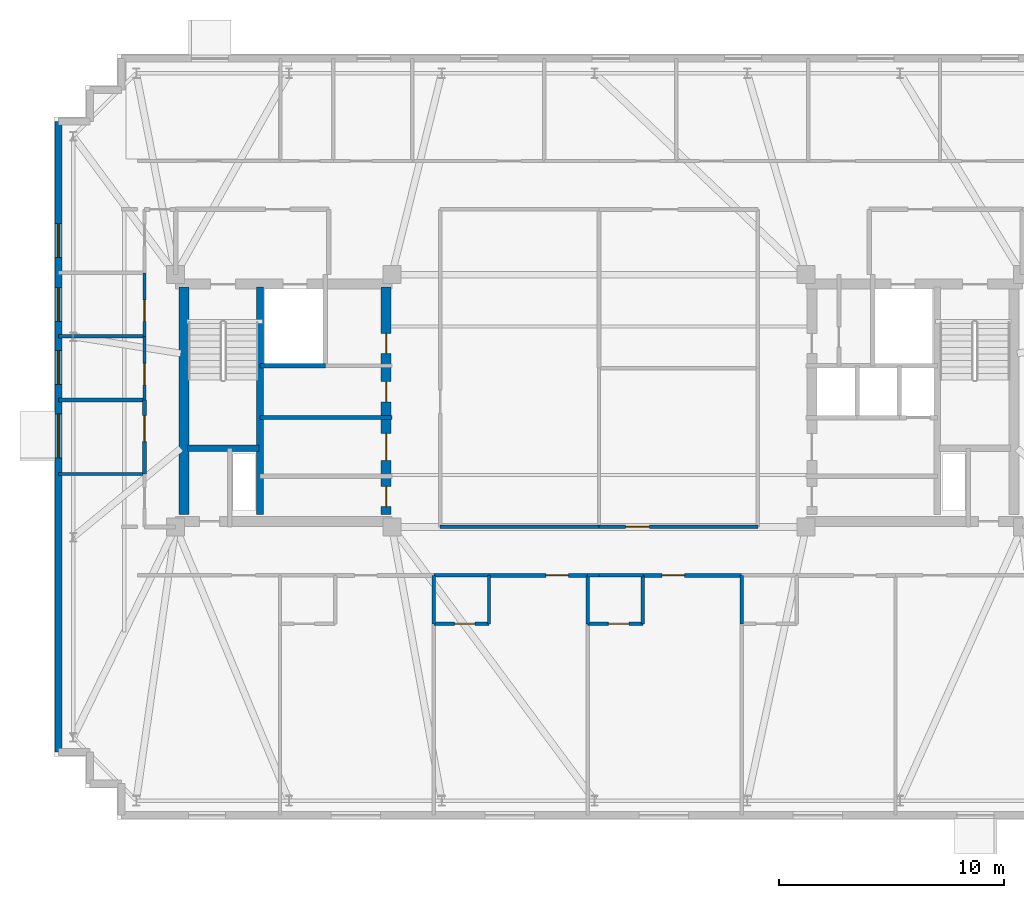
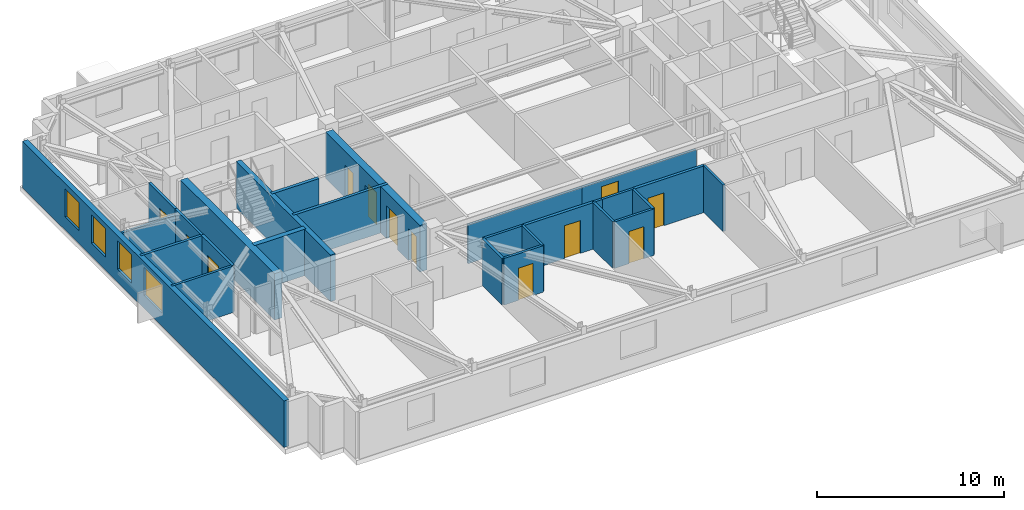
# One storey, part 6 of 12: 27 walls, 12 doors, 4 windows, 16 openings.
"""IFC4 building model written with IfcOpenShell, lengths in metres."""

from ifc_helpers import new_model, si_unit, direction, frame, frame_2d, origin, place, context, subcontext, project, spatial, rectangle, extrude, material, layer, layer_set, type_object, element, fill, save


model = new_model("IFC4")

# Units and contexts
model_context = context("Model", 3, precision=1e-05, world=origin(), true_north=direction((0.0, 1.0)))
body_context = subcontext(model_context, "Body", "Model", "MODEL_VIEW")
ifc_project = project(units=[si_unit("LENGTHUNIT", "METRE"), si_unit("AREAUNIT", "SQUARE_METRE"), si_unit("VOLUMEUNIT", "CUBIC_METRE"), si_unit("PLANEANGLEUNIT", "RADIAN"), si_unit("MASSUNIT", "GRAM", prefix="KILO")], contexts=[model_context])

# Site, building, storey
site_placement = place(None, origin())
site = spatial("IfcSite", under=ifc_project, at=site_placement, CompositionType="ELEMENT")
building_placement = place(site_placement, origin())
building = spatial("IfcBuilding", under=site, at=building_placement, Name="Qobustan Lattice House", CompositionType="ELEMENT")
storey_placement = place(building_placement, frame((0.0, 0.0, 241.699951171875)))
storey = spatial("IfcBuildingStorey", under=building, at=storey_placement, Name="L68", CompositionType="ELEMENT", Elevation=241.699951171875)

# Wall
ifc_material_1 = material(Name="Concrete C50/60", Category="concrete")
ifc_layer_1 = layer(ifc_material_1, 0.43994140625)
ifc_layer_set_1 = layer_set([ifc_layer_1], Name="Concrete C50/60")
wall_type_1 = type_object("IfcWallType", Name="WAL-CORE-440", PredefinedType="SHEAR", material=ifc_layer_set_1)
wall_1_placement = place(storey_placement, frame((-18.429931640625, -5.050048828125, 0.0), z_axis=(0.0, 0.0, 1.0), x_axis=(0.0, 1.0, 0.0)))
element("IfcWall", 1, at=wall_1_placement, inside=storey, type_object=wall_type_1, Name="L68 split-core shear wall CW-W", PredefinedType="SHEAR", context=body_context, shape_type="SweptSolid", body=[
    extrude(rectangle(XDim=10.10009765625, YDim=0.43994140625, at=frame_2d((5.050048828125, 0.0))), origin(), (0.0, 0.0, 1.0), 3.0400390625),
])

# Wall, openings, doors
wall_2_placement = place(storey_placement, frame((-9.449951171875, -5.050048828125, 0.0), z_axis=(0.0, 0.0, 1.0), x_axis=(0.0, 1.0, 0.0)))
wall_2 = element("IfcWall", 2, at=wall_2_placement, inside=storey, type_object=wall_type_1, Name="L68 split-core shear wall CW-E", PredefinedType="SHEAR", context=body_context, shape_type="SweptSolid", body=[
    extrude(rectangle(XDim=10.10009765625, YDim=0.43994140625, at=frame_2d((5.050048828125, 0.0))), origin(), (0.0, 0.0, 1.0), 3.0400390625),
])
opening_1_placement = place(wall_2_placement, frame((7.14990234375, 0.0, 0.0)))
opening_1 = element("IfcOpeningElement", 3, at=opening_1_placement, cuts=wall_2, Name="Opening RD-01", PredefinedType="OPENING", context=body_context, shape_type="SweptSolid", body=[
    extrude(rectangle(XDim=0.89990234375, YDim=2.10009765625, at=frame_2d((0.449951171875, 1.050048828125))), frame((0.0, 0.22998046875, 0.0), z_axis=(0.0, -1.0, 0.0), x_axis=(1.0, 0.0, 0.0)), (0.0, 0.0, 1.0), 0.4599609375),
])
opening_2_placement = place(wall_2_placement, frame((2.39990234375, 0.0, 0.0)))
opening_2 = element("IfcOpeningElement", 4, at=opening_2_placement, cuts=wall_2, Name="Opening FD-01", PredefinedType="OPENING", context=body_context, shape_type="SweptSolid", body=[
    extrude(rectangle(XDim=1.199951171875, YDim=2.14990234375, at=frame_2d((0.60009765625, 1.074951171875))), frame((0.0, 0.22998046875, 0.0), z_axis=(0.0, -1.0, 0.0), x_axis=(1.0, 0.0, 0.0)), (0.0, 0.0, 1.0), 0.4599609375),
])
opening_3_placement = place(wall_2_placement, frame((0.35009765625, 0.0, 0.0)))
opening_3 = element("IfcOpeningElement", 5, at=opening_3_placement, cuts=wall_2, Name="Opening RD-01", PredefinedType="OPENING", context=body_context, shape_type="SweptSolid", body=[
    extrude(rectangle(XDim=0.89990234375, YDim=2.10009765625, at=frame_2d((0.449951171875, 1.050048828125))), frame((0.0, 0.22998046875, 0.0), z_axis=(0.0, -1.0, 0.0), x_axis=(1.0, 0.0, 0.0)), (0.0, 0.0, 1.0), 0.4599609375),
])
opening_4_placement = place(wall_2_placement, frame((5.0, 0.0, 0.0)))
opening_4 = element("IfcOpeningElement", 6, at=opening_4_placement, cuts=wall_2, Name="Opening RD-01", PredefinedType="OPENING", context=body_context, shape_type="SweptSolid", body=[
    extrude(rectangle(XDim=0.89990234375, YDim=2.10009765625, at=frame_2d((0.449951171875, 1.050048828125))), frame((0.0, 0.22998046875, 0.0), z_axis=(0.0, -1.0, 0.0), x_axis=(1.0, 0.0, 0.0)), (0.0, 0.0, 1.0), 0.4599609375),
])
ifc_material_2 = material(Name="Persian walnut timber and steel frame door", Category="steel")
door_type_1 = type_object("IfcDoorType", Name="DOR-LOBBY-FD-1200x2150", OperationType="NOTDEFINED", PredefinedType="DOOR", material=ifc_material_2)
door_1_placement = place(opening_2_placement, origin())
door_1 = element("IfcDoor", 7, at=door_1_placement, inside=storey, type_object=door_type_1, Name="L68 West core foyer fire door", OperationType="SINGLE_SWING_RIGHT", OverallHeight=2.14990234375, OverallWidth=1.199951171875, PredefinedType="DOOR", context=body_context, shape_type="SweptSolid", body=[
    extrude(rectangle(XDim=1.199951171875, YDim=2.14990234375, at=frame_2d((0.60009765625, 1.074951171875))), frame((0.0, 0.02490234375, 0.0), z_axis=(0.0, -1.0, 0.0), x_axis=(1.0, 0.0, 0.0)), (0.0, 0.0, 1.0), 0.050048828125),
])
fill(opening_2, door_1)
ifc_material_3 = material(Name="Persian walnut timber and steel frame door", Category="steel")
door_type_2 = type_object("IfcDoorType", Name="DOR-RISER-FD-900x2100", OperationType="NOTDEFINED", PredefinedType="DOOR", material=ifc_material_3)
door_2_placement = place(opening_1_placement, origin())
door_2 = element("IfcDoor", 8, at=door_2_placement, inside=storey, type_object=door_type_2, Name="L68 Floor tea pantry fire door", OperationType="SINGLE_SWING_LEFT", OverallHeight=2.10009765625, OverallWidth=0.89990234375, PredefinedType="DOOR", context=body_context, shape_type="SweptSolid", body=[
    extrude(rectangle(XDim=0.89990234375, YDim=2.10009765625, at=frame_2d((0.449951171875, 1.050048828125))), frame((0.0, 0.02490234375, 0.0), z_axis=(0.0, -1.0, 0.0), x_axis=(1.0, 0.0, 0.0)), (0.0, 0.0, 1.0), 0.050048828125),
])
fill(opening_1, door_2)
door_3_placement = place(opening_3_placement, origin())
door_3 = element("IfcDoor", 9, at=door_3_placement, inside=storey, type_object=door_type_2, Name="L68 Tutorial seminar salon fire door", OperationType="SINGLE_SWING_LEFT", OverallHeight=2.10009765625, OverallWidth=0.89990234375, PredefinedType="DOOR", context=body_context, shape_type="SweptSolid", body=[
    extrude(rectangle(XDim=0.89990234375, YDim=2.10009765625, at=frame_2d((0.449951171875, 1.050048828125))), frame((0.0, 0.02490234375, 0.0), z_axis=(0.0, -1.0, 0.0), x_axis=(1.0, 0.0, 0.0)), (0.0, 0.0, 1.0), 0.050048828125),
])
fill(opening_3, door_3)
door_4_placement = place(opening_4_placement, origin())
door_4 = element("IfcDoor", 10, at=door_4_placement, inside=storey, type_object=door_type_2, Name="L68 Copy and tea hub fire door", OperationType="SINGLE_SWING_RIGHT", OverallHeight=2.10009765625, OverallWidth=0.89990234375, PredefinedType="DOOR", context=body_context, shape_type="SweptSolid", body=[
    extrude(rectangle(XDim=0.89990234375, YDim=2.10009765625, at=frame_2d((0.449951171875, 1.050048828125))), frame((0.0, 0.02490234375, 0.0), z_axis=(0.0, -1.0, 0.0), x_axis=(1.0, 0.0, 0.0)), (0.0, 0.0, 1.0), 0.050048828125),
])
fill(opening_4, door_4)

# Walls
ifc_material_4 = material(Name="Concrete C50/60", Category="concrete")
ifc_layer_2 = layer(ifc_material_4, 0.280029296875)
ifc_layer_set_2 = layer_set([ifc_layer_2], Name="Concrete C50/60")
wall_type_2 = type_object("IfcWallType", Name="WAL-CORE-SPINE-280", PredefinedType="SHEAR", material=ifc_layer_set_2)
wall_3_placement = place(storey_placement, frame((-15.050048828125, -5.050048828125, 0.0), z_axis=(0.0, 0.0, 1.0), x_axis=(0.0, 1.0, 0.0)))
element("IfcWall", 11, at=wall_3_placement, inside=storey, type_object=wall_type_2, Name="L68 split-core shear wall CW-M", PredefinedType="SHEAR", context=body_context, shape_type="SweptSolid", body=[
    extrude(rectangle(XDim=10.10009765625, YDim=0.300048828125, at=frame_2d((5.050048828125, 0.0))), origin(), (0.0, 0.0, 1.0), 3.0400390625),
])
wall_4_placement = place(storey_placement, frame((-18.280029296875, -2.110107421875, 0.0), z_axis=(0.0, 0.0, 1.0), x_axis=(1.0, 0.0, 0.0)))
element("IfcWall", 12, at=wall_4_placement, inside=storey, type_object=wall_type_2, Name="L68 split-core shear wall CW-ST", PredefinedType="SHEAR", context=body_context, shape_type="SweptSolid", body=[
    extrude(rectangle(XDim=3.179931640625, YDim=0.300048828125, at=frame_2d((1.58984375, 0.0))), origin(), (0.0, 0.0, 1.0), 3.0400390625),
])

# Wall, openings, windows
ifc_material_5 = material(Name="Precast concrete C40/50", Category="concrete")
ifc_layer_3 = layer(ifc_material_5, 0.320068359375)
ifc_layer_set_3 = layer_set([ifc_layer_3], Name="Precast concrete C40/50")
wall_type_3 = type_object("IfcWallType", Name="WAL-EXT-STONE-320", PredefinedType="SOLIDWALL", material=ifc_layer_set_3)
wall_5_placement = place(storey_placement, frame((-24.0, -15.60009765625, 0.0), z_axis=(0.0, 0.0, 1.0), x_axis=(0.0, 1.0, 0.0)))
wall_5 = element("IfcWall", 13, at=wall_5_placement, inside=storey, type_object=wall_type_3, Name="L68 exterior limestone-clad wall 5", PredefinedType="SOLIDWALL", context=body_context, shape_type="SweptSolid", body=[
    extrude(rectangle(XDim=28.0, YDim=0.320068359375, at=frame_2d((14.0, 0.0))), origin(), (0.0, 0.0, 1.0), 3.0400390625),
])
opening_5_placement = place(wall_5_placement, frame((13.06494140625, 0.0, 0.85009765625)))
opening_5 = element("IfcOpeningElement", 14, at=opening_5_placement, cuts=wall_5, Name="Opening WN-08", PredefinedType="OPENING", context=body_context, shape_type="SweptSolid", body=[
    extrude(rectangle(XDim=1.949951171875, YDim=1.85009765625, at=frame_2d((0.97509765625, 0.925048828125))), frame((0.0, 0.169921875, 0.0), z_axis=(0.0, -1.0, 0.0), x_axis=(1.0, 0.0, 0.0)), (0.0, 0.0, 1.0), 0.340087890625),
])
opening_6_placement = place(wall_5_placement, frame((16.330078125, 0.0, 0.85009765625)))
opening_6 = element("IfcOpeningElement", 15, at=opening_6_placement, cuts=wall_5, Name="Opening WN-01", PredefinedType="OPENING", context=body_context, shape_type="SweptSolid", body=[
    extrude(rectangle(XDim=1.5, YDim=1.85009765625, at=frame_2d((0.75, 0.925048828125))), frame((0.0, 0.169921875, 0.0), z_axis=(0.0, -1.0, 0.0), x_axis=(1.0, 0.0, 0.0)), (0.0, 0.0, 1.0), 0.340087890625),
])
opening_7_placement = place(wall_5_placement, frame((19.1298828125, 0.0, 0.85009765625)))
opening_7 = element("IfcOpeningElement", 16, at=opening_7_placement, cuts=wall_5, Name="Opening WN-01", PredefinedType="OPENING", context=body_context, shape_type="SweptSolid", body=[
    extrude(rectangle(XDim=1.5, YDim=1.85009765625, at=frame_2d((0.75, 0.925048828125))), frame((0.0, 0.169921875, 0.0), z_axis=(0.0, -1.0, 0.0), x_axis=(1.0, 0.0, 0.0)), (0.0, 0.0, 1.0), 0.340087890625),
])
opening_8_placement = place(wall_5_placement, frame((21.969970703125, 0.0, 0.85009765625)))
opening_8 = element("IfcOpeningElement", 17, at=opening_8_placement, cuts=wall_5, Name="Opening WN-01", PredefinedType="OPENING", context=body_context, shape_type="SweptSolid", body=[
    extrude(rectangle(XDim=1.5, YDim=1.85009765625, at=frame_2d((0.75, 0.925048828125))), frame((0.0, 0.169921875, 0.0), z_axis=(0.0, -1.0, 0.0), x_axis=(1.0, 0.0, 0.0)), (0.0, 0.0, 1.0), 0.340087890625),
])
ifc_material_6 = material(Name="Double-glazed low-E aluminium window", Category="aluminium")
window_type_1 = type_object("IfcWindowType", Name="WIN-BED-1500x1850", PartitioningType="SINGLE_PANEL", PredefinedType="WINDOW", material=ifc_material_6)
window_1_placement = place(opening_6_placement, origin())
window_1 = element("IfcWindow", 18, at=window_1_placement, inside=storey, type_object=window_type_1, Name="L68 Cluster bedroom L68W1 window", OverallHeight=1.85009765625, OverallWidth=1.5, PartitioningType="SINGLE_PANEL", PredefinedType="WINDOW", context=body_context, shape_type="SweptSolid", body=[
    extrude(rectangle(XDim=1.5, YDim=1.85009765625, at=frame_2d((0.75, 0.925048828125))), frame((0.0, 0.030029296875, 0.0), z_axis=(0.0, -1.0, 0.0), x_axis=(1.0, 0.0, 0.0)), (0.0, 0.0, 1.0), 0.06005859375),
])
fill(opening_6, window_1)
window_2_placement = place(opening_7_placement, origin())
window_2 = element("IfcWindow", 19, at=window_2_placement, inside=storey, type_object=window_type_1, Name="L68 Cluster bedroom L68W2 window", OverallHeight=1.85009765625, OverallWidth=1.5, PartitioningType="SINGLE_PANEL", PredefinedType="WINDOW", context=body_context, shape_type="SweptSolid", body=[
    extrude(rectangle(XDim=1.5, YDim=1.85009765625, at=frame_2d((0.75, 0.925048828125))), frame((0.0, 0.030029296875, 0.0), z_axis=(0.0, -1.0, 0.0), x_axis=(1.0, 0.0, 0.0)), (0.0, 0.0, 1.0), 0.06005859375),
])
fill(opening_7, window_2)
window_3_placement = place(opening_8_placement, origin())
window_3 = element("IfcWindow", 20, at=window_3_placement, inside=storey, type_object=window_type_1, Name="L68 Cluster bedroom L68W3 window", OverallHeight=1.85009765625, OverallWidth=1.5, PartitioningType="SINGLE_PANEL", PredefinedType="WINDOW", context=body_context, shape_type="SweptSolid", body=[
    extrude(rectangle(XDim=1.5, YDim=1.85009765625, at=frame_2d((0.75, 0.925048828125))), frame((0.0, 0.030029296875, 0.0), z_axis=(0.0, -1.0, 0.0), x_axis=(1.0, 0.0, 0.0)), (0.0, 0.0, 1.0), 0.06005859375),
])
fill(opening_8, window_3)
ifc_material_7 = material(Name="Double-glazed low-E aluminium window", Category="aluminium")
window_type_2 = type_object("IfcWindowType", Name="WIN-KIT-1950x1850", PartitioningType="SINGLE_PANEL", PredefinedType="WINDOW", material=ifc_material_7)
window_4_placement = place(opening_5_placement, origin())
window_4 = element("IfcWindow", 21, at=window_4_placement, inside=storey, type_object=window_type_2, Name="L68 Shared kitchen L68W window", OverallHeight=1.85009765625, OverallWidth=1.949951171875, PartitioningType="SINGLE_PANEL", PredefinedType="WINDOW", context=body_context, shape_type="SweptSolid", body=[
    extrude(rectangle(XDim=1.949951171875, YDim=1.85009765625, at=frame_2d((0.97509765625, 0.925048828125))), frame((0.0, 0.030029296875, 0.0), z_axis=(0.0, -1.0, 0.0), x_axis=(1.0, 0.0, 0.0)), (0.0, 0.0, 1.0), 0.06005859375),
])
fill(opening_5, window_4)

# Wall
ifc_material_8 = material(Name="Gypsum fireboard acoustic partition", Category="gypsum")
ifc_layer_4 = layer(ifc_material_8, 0.179931640625)
ifc_layer_set_4 = layer_set([ifc_layer_4], Name="Gypsum fireboard acoustic partition")
wall_type_4 = type_object("IfcWallType", Name="WAL-FIRE-180", PredefinedType="PARTITIONING", material=ifc_layer_set_4)
wall_6_placement = place(storey_placement, frame((-9.199951171875, -0.75, 0.0), z_axis=(0.0, 0.0, 1.0), x_axis=(-1.0, 0.0, 0.0)))
element("IfcWall", 22, at=wall_6_placement, inside=storey, type_object=wall_type_4, Name="L68 interior partition 9", PredefinedType="PARTITIONING", context=body_context, shape_type="SweptSolid", body=[
    extrude(rectangle(XDim=5.85009765625, YDim=0.179931640625, at=frame_2d((2.925048828125, 0.0))), origin(), (0.0, 0.0, 1.0), 3.0400390625),
])

# Wall, opening, door
wall_7_placement = place(storey_placement, frame((-0.5, -7.75, 0.0), z_axis=(0.0, 0.0, 1.0), x_axis=(-1.0, 0.0, 0.0)))
wall_7 = element("IfcWall", 23, at=wall_7_placement, inside=storey, type_object=wall_type_4, Name="L68 interior partition 48", PredefinedType="PARTITIONING", context=body_context, shape_type="SweptSolid", body=[
    extrude(rectangle(XDim=4.383056640625, YDim=0.179931640625, at=frame_2d((2.19140625, 0.0))), origin(), (0.0, 0.0, 1.0), 3.0400390625),
])
opening_9_placement = place(wall_7_placement, frame((0.85791015625, 0.0, 0.0)))
opening_9 = element("IfcOpeningElement", 24, at=opening_9_placement, cuts=wall_7, Name="Opening FD-02", PredefinedType="OPENING", context=body_context, shape_type="SweptSolid", body=[
    extrude(rectangle(XDim=1.0, YDim=2.14990234375, at=frame_2d((0.5, 1.074951171875))), frame((0.0, 0.099853515625, 0.0), z_axis=(0.0, -1.0, 0.0), x_axis=(1.0, 0.0, 0.0)), (0.0, 0.0, 1.0), 0.199951171875),
])
ifc_material_9 = material(Name="Persian walnut timber and steel frame door", Category="steel")
door_type_3 = type_object("IfcDoorType", Name="DOR-UNIT-FD-1000x2150", OperationType="NOTDEFINED", PredefinedType="DOOR", material=ifc_material_9)
door_5_placement = place(opening_9_placement, origin())
door_5 = element("IfcDoor", 25, at=door_5_placement, inside=storey, type_object=door_type_3, Name="L68 South-west floor corridor to Kitchenette and studio apartment L68-S3 door", OperationType="SINGLE_SWING_LEFT", OverallHeight=2.14990234375, OverallWidth=1.0, PredefinedType="DOOR", context=body_context, shape_type="SweptSolid", body=[
    extrude(rectangle(XDim=1.0, YDim=2.14990234375, at=frame_2d((0.5, 1.074951171875))), frame((0.0, 0.02490234375, 0.0), z_axis=(0.0, -1.0, 0.0), x_axis=(1.0, 0.0, 0.0)), (0.0, 0.0, 1.0), 0.050048828125),
])
fill(opening_9, door_5)

wall_8_placement = place(storey_placement, frame((6.3330078125, -7.75, 0.0), z_axis=(0.0, 0.0, 1.0), x_axis=(-1.0, 0.0, 0.0)))
wall_8 = element("IfcWall", 26, at=wall_8_placement, inside=storey, type_object=wall_type_4, Name="L68 interior partition 54", PredefinedType="PARTITIONING", context=body_context, shape_type="SweptSolid", body=[
    extrude(rectangle(XDim=4.383056640625, YDim=0.179931640625, at=frame_2d((2.19140625, 0.0))), origin(), (0.0, 0.0, 1.0), 3.0400390625),
])
opening_10_placement = place(wall_8_placement, frame((2.525146484375, 0.0, 0.0)))
opening_10 = element("IfcOpeningElement", 27, at=opening_10_placement, cuts=wall_8, Name="Opening FD-02", PredefinedType="OPENING", context=body_context, shape_type="SweptSolid", body=[
    extrude(rectangle(XDim=1.0, YDim=2.14990234375, at=frame_2d((0.5, 1.074951171875))), frame((0.0, 0.099853515625, 0.0), z_axis=(0.0, -1.0, 0.0), x_axis=(1.0, 0.0, 0.0)), (0.0, 0.0, 1.0), 0.199951171875),
])
door_6_placement = place(opening_10_placement, origin())
door_6 = element("IfcDoor", 28, at=door_6_placement, inside=storey, type_object=door_type_3, Name="L68 South-east floor corridor to Kitchenette and studio apartment L68-S4 door", OperationType="SINGLE_SWING_RIGHT", OverallHeight=2.14990234375, OverallWidth=1.0, PredefinedType="DOOR", context=body_context, shape_type="SweptSolid", body=[
    extrude(rectangle(XDim=1.0, YDim=2.14990234375, at=frame_2d((0.5, 1.074951171875))), frame((0.0, 0.02490234375, 0.0), z_axis=(0.0, -1.0, 0.0), x_axis=(1.0, 0.0, 0.0)), (0.0, 0.0, 1.0), 0.050048828125),
])
fill(opening_10, door_6)

# Wall
ifc_material_10 = material(Name="Acoustic twin-stud gypsum partition", Category="gypsum")
ifc_layer_5 = layer(ifc_material_10, 0.14990234375)
ifc_layer_set_5 = layer_set([ifc_layer_5], Name="Acoustic twin-stud gypsum partition")
wall_type_5 = type_object("IfcWallType", Name="WAL-PART-150", PredefinedType="PARTITIONING", material=ifc_layer_set_5)
wall_9_placement = place(storey_placement, frame((-7.050048828125, -5.60009765625, 0.0), z_axis=(0.0, 0.0, 1.0), x_axis=(1.0, 0.0, 0.0)))
element("IfcWall", 29, at=wall_9_placement, inside=storey, type_object=wall_type_5, Name="L68 interior partition 51", PredefinedType="PARTITIONING", context=body_context, shape_type="SweptSolid", body=[
    extrude(rectangle(XDim=7.050048828125, YDim=0.14990234375, at=frame_2d((3.52490234375, 0.0))), origin(), (0.0, 0.0, 1.0), 2.525146484375),
])

# Wall, opening, door
wall_10_placement = place(storey_placement, frame((0.0, -5.60009765625, 0.0), z_axis=(0.0, 0.0, 1.0), x_axis=(1.0, 0.0, 0.0)))
wall_10 = element("IfcWall", 30, at=wall_10_placement, inside=storey, type_object=wall_type_5, Name="L68 interior partition 59", PredefinedType="PARTITIONING", context=body_context, shape_type="SweptSolid", body=[
    extrude(rectangle(XDim=7.050048828125, YDim=0.14990234375, at=frame_2d((3.52490234375, 0.0))), origin(), (0.0, 0.0, 1.0), 2.525146484375),
])
opening_11_placement = place(wall_10_placement, frame((1.18505859375, 0.0, 0.0)))
opening_11 = element("IfcOpeningElement", 31, at=opening_11_placement, cuts=wall_10, Name="Opening ID-02", PredefinedType="OPENING", context=body_context, shape_type="SweptSolid", body=[
    extrude(rectangle(XDim=1.050048828125, YDim=2.14990234375, at=frame_2d((0.52490234375, 1.074951171875))), frame((0.0, 0.0849609375, 0.0), z_axis=(0.0, -1.0, 0.0), x_axis=(1.0, 0.0, 0.0)), (0.0, 0.0, 1.0), 0.169921875),
])
ifc_material_11 = material(Name="Persian walnut timber and steel frame door", Category="steel")
door_type_4 = type_object("IfcDoorType", Name="DOR-STUDY-1050x2150", OperationType="NOTDEFINED", PredefinedType="DOOR", material=ifc_material_11)
door_7_placement = place(opening_11_placement, origin())
door_7 = element("IfcDoor", 32, at=door_7_placement, inside=storey, type_object=door_type_4, Name="L68 South-east floor corridor to Seminar breakout room door", OperationType="SINGLE_SWING_LEFT", OverallHeight=2.14990234375, OverallWidth=1.050048828125, PredefinedType="DOOR", context=body_context, shape_type="SweptSolid", body=[
    extrude(rectangle(XDim=1.050048828125, YDim=2.14990234375, at=frame_2d((0.52490234375, 1.074951171875))), frame((0.0, 0.02490234375, 0.0), z_axis=(0.0, -1.0, 0.0), x_axis=(1.0, 0.0, 0.0)), (0.0, 0.0, 1.0), 0.050048828125),
])
fill(opening_11, door_7)

wall_11_placement = place(storey_placement, frame((-20.179931640625, 0.0400390625, 0.0), z_axis=(0.0, 0.0, 1.0), x_axis=(0.0, 1.0, 0.0)))
wall_11 = element("IfcWall", 33, at=wall_11_placement, inside=storey, type_object=wall_type_5, Name="L68 interior partition 65", PredefinedType="PARTITIONING", context=body_context, shape_type="SweptSolid", body=[
    extrude(rectangle(XDim=2.820068359375, YDim=0.14990234375, at=frame_2d((1.41015625, 0.0))), origin(), (0.0, 0.0, 1.0), 3.0400390625),
])
opening_12_placement = place(wall_11_placement, frame((0.668701171875, 0.0, 0.0)))
opening_12 = element("IfcOpeningElement", 34, at=opening_12_placement, cuts=wall_11, Name="Opening ID-01", PredefinedType="OPENING", context=body_context, shape_type="SweptSolid", body=[
    extrude(rectangle(XDim=0.949951171875, YDim=2.10009765625, at=frame_2d((0.47509765625, 1.050048828125))), frame((0.0, 0.0849609375, 0.0), z_axis=(0.0, -1.0, 0.0), x_axis=(1.0, 0.0, 0.0)), (0.0, 0.0, 1.0), 0.169921875),
])
ifc_material_12 = material(Name="Persian walnut timber and steel frame door", Category="steel")
door_type_5 = type_object("IfcDoorType", Name="DOR-ROOM-950x2100", OperationType="NOTDEFINED", PredefinedType="DOOR", material=ifc_material_12)
door_8_placement = place(opening_12_placement, origin())
door_8 = element("IfcDoor", 35, at=door_8_placement, inside=storey, type_object=door_type_5, Name="L68 Residence entrance hall L68W to Cluster bedroom L68W1 door", OperationType="SINGLE_SWING_LEFT", OverallHeight=2.10009765625, OverallWidth=0.949951171875, PredefinedType="DOOR", context=body_context, shape_type="SweptSolid", body=[
    extrude(rectangle(XDim=0.949951171875, YDim=2.10009765625, at=frame_2d((0.47509765625, 1.050048828125))), frame((0.0, 0.02490234375, 0.0), z_axis=(0.0, -1.0, 0.0), x_axis=(1.0, 0.0, 0.0)), (0.0, 0.0, 1.0), 0.050048828125),
])
fill(opening_12, door_8)

wall_12_placement = place(storey_placement, frame((-20.179931640625, 2.860107421875, 0.0), z_axis=(0.0, 0.0, 1.0), x_axis=(0.0, 1.0, 0.0)))
wall_12 = element("IfcWall", 36, at=wall_12_placement, inside=storey, type_object=wall_type_5, Name="L68 interior partition 66", PredefinedType="PARTITIONING", context=body_context, shape_type="SweptSolid", body=[
    extrude(rectangle(XDim=2.81982421875, YDim=0.14990234375, at=frame_2d((1.409912109375, 0.0))), origin(), (0.0, 0.0, 1.0), 3.0400390625),
])
opening_13_placement = place(wall_12_placement, frame((0.668701171875, 0.0, 0.0)))
opening_13 = element("IfcOpeningElement", 37, at=opening_13_placement, cuts=wall_12, Name="Opening ID-01", PredefinedType="OPENING", context=body_context, shape_type="SweptSolid", body=[
    extrude(rectangle(XDim=0.949951171875, YDim=2.10009765625, at=frame_2d((0.47509765625, 1.050048828125))), frame((0.0, 0.0849609375, 0.0), z_axis=(0.0, -1.0, 0.0), x_axis=(1.0, 0.0, 0.0)), (0.0, 0.0, 1.0), 0.169921875),
])
door_9_placement = place(opening_13_placement, origin())
door_9 = element("IfcDoor", 38, at=door_9_placement, inside=storey, type_object=door_type_5, Name="L68 Residence entrance hall L68W to Cluster bedroom L68W2 door", OperationType="SINGLE_SWING_RIGHT", OverallHeight=2.10009765625, OverallWidth=0.949951171875, PredefinedType="DOOR", context=body_context, shape_type="SweptSolid", body=[
    extrude(rectangle(XDim=0.949951171875, YDim=2.10009765625, at=frame_2d((0.47509765625, 1.050048828125))), frame((0.0, 0.02490234375, 0.0), z_axis=(0.0, -1.0, 0.0), x_axis=(1.0, 0.0, 0.0)), (0.0, 0.0, 1.0), 0.050048828125),
])
fill(opening_13, door_9)

# Wall
wall_13_placement = place(storey_placement, frame((-24.0, 2.860107421875, 0.0), z_axis=(0.0, 0.0, 1.0), x_axis=(1.0, 0.0, 0.0)))
element("IfcWall", 39, at=wall_13_placement, inside=storey, type_object=wall_type_5, Name="L68 interior partition 70", PredefinedType="PARTITIONING", context=body_context, shape_type="SweptSolid", body=[
    extrude(rectangle(XDim=3.820068359375, YDim=0.14990234375, at=frame_2d((1.91015625, 0.0))), origin(), (0.0, 0.0, 1.0), 2.6650390625),
])

# Wall, opening, door
ifc_material_13 = material(Name="High-mass acoustic twin-stud partition", Category="gypsum")
ifc_layer_6 = layer(ifc_material_13, 0.1650390625)
ifc_layer_set_6 = layer_set([ifc_layer_6], Name="High-mass acoustic twin-stud partition")
wall_type_6 = type_object("IfcWallType", Name="WAL-PART-165", PredefinedType="PARTITIONING", material=ifc_layer_set_6)
wall_14_placement = place(storey_placement, frame((-20.179931640625, -3.25, 0.0), z_axis=(0.0, 0.0, 1.0), x_axis=(0.0, 1.0, 0.0)))
wall_14 = element("IfcWall", 40, at=wall_14_placement, inside=storey, type_object=wall_type_6, Name="L68 interior partition 64", PredefinedType="PARTITIONING", context=body_context, shape_type="SweptSolid", body=[
    extrude(rectangle(XDim=3.2900390625, YDim=0.1650390625, at=frame_2d((1.64501953125, 0.0))), origin(), (0.0, 0.0, 1.0), 3.0400390625),
])
opening_14_placement = place(wall_14_placement, frame((1.4375, 0.0, 0.0)))
opening_14 = element("IfcOpeningElement", 41, at=opening_14_placement, cuts=wall_14, Name="Opening ID-03", PredefinedType="OPENING", context=body_context, shape_type="SweptSolid", body=[
    extrude(rectangle(XDim=1.14990234375, YDim=2.14990234375, at=frame_2d((0.574951171875, 1.074951171875))), frame((0.0, 0.092529296875, 0.0), z_axis=(0.0, -1.0, 0.0), x_axis=(1.0, 0.0, 0.0)), (0.0, 0.0, 1.0), 0.18505859375),
])
ifc_material_14 = material(Name="Persian walnut timber and steel frame door", Category="steel")
door_type_6 = type_object("IfcDoorType", Name="DOR-KITCH-1150x2150", OperationType="NOTDEFINED", PredefinedType="DOOR", material=ifc_material_14)
door_10_placement = place(opening_14_placement, origin())
door_10 = element("IfcDoor", 42, at=door_10_placement, inside=storey, type_object=door_type_6, Name="L68 Residence entrance hall L68W to Shared kitchen L68W door", OperationType="SINGLE_SWING_RIGHT", OverallHeight=2.14990234375, OverallWidth=1.14990234375, PredefinedType="DOOR", context=body_context, shape_type="SweptSolid", body=[
    extrude(rectangle(XDim=1.14990234375, YDim=2.14990234375, at=frame_2d((0.574951171875, 1.074951171875))), frame((0.0, 0.02490234375, 0.0), z_axis=(0.0, -1.0, 0.0), x_axis=(1.0, 0.0, 0.0)), (0.0, 0.0, 1.0), 0.050048828125),
])
fill(opening_14, door_10)

# Walls
wall_15_placement = place(storey_placement, frame((-24.0, 0.0400390625, 0.0), z_axis=(0.0, 0.0, 1.0), x_axis=(1.0, 0.0, 0.0)))
element("IfcWall", 43, at=wall_15_placement, inside=storey, type_object=wall_type_6, Name="L68 interior partition 69", PredefinedType="PARTITIONING", context=body_context, shape_type="SweptSolid", body=[
    extrude(rectangle(XDim=3.820068359375, YDim=0.1650390625, at=frame_2d((1.91015625, 0.0))), origin(), (0.0, 0.0, 1.0), 3.0400390625),
])
ifc_material_15 = material(Name="Concrete C40/50", Category="concrete")
ifc_layer_7 = layer(ifc_material_15, 0.199951171875)
ifc_layer_set_7 = layer_set([ifc_layer_7], Name="Concrete C40/50")
wall_type_7 = type_object("IfcWallType", Name="WAL-SHAFT-200", PredefinedType="PARTITIONING", material=ifc_layer_set_7)
wall_16_placement = place(storey_placement, frame((-15.050048828125, 1.550048828125, 0.0), z_axis=(0.0, 0.0, 1.0), x_axis=(1.0, 0.0, 0.0)))
element("IfcWall", 44, at=wall_16_placement, inside=storey, type_object=wall_type_7, Name="L68 interior partition 99", PredefinedType="PARTITIONING", context=body_context, shape_type="SweptSolid", body=[
    extrude(rectangle(XDim=2.900146484375, YDim=0.199951171875, at=frame_2d((1.4501953125, 0.0))), origin(), (0.0, 0.0, 1.0), 3.0400390625),
])
ifc_material_16 = material(Name="Moisture-resistant acoustic plumbing wall", Category="gypsum")
ifc_layer_8 = layer(ifc_material_16, 0.14990234375)
ifc_layer_set_8 = layer_set([ifc_layer_8], Name="Moisture-resistant acoustic plumbing wall")
wall_type_8 = type_object("IfcWallType", Name="WAL-WET-150", PredefinedType="PLUMBINGWALL", material=ifc_layer_set_8)
wall_17_placement = place(storey_placement, frame((-4.883056640625, -7.75, 0.0), z_axis=(0.0, 0.0, 1.0), x_axis=(-1.0, 0.0, 0.0)))
element("IfcWall", 45, at=wall_17_placement, inside=storey, type_object=wall_type_8, Name="L68 interior partition 49", PredefinedType="PLUMBINGWALL", context=body_context, shape_type="SweptSolid", body=[
    extrude(rectangle(XDim=2.449951171875, YDim=0.14990234375, at=frame_2d((1.22509765625, 0.0))), origin(), (0.0, 0.0, 1.0), 3.0400390625),
])
wall_18_placement = place(storey_placement, frame((0.0, -7.75, 0.0), z_axis=(0.0, 0.0, 1.0), x_axis=(-1.0, 0.0, 0.0)))
element("IfcWall", 46, at=wall_18_placement, inside=storey, type_object=wall_type_8, Name="L68 interior partition 50", PredefinedType="PLUMBINGWALL", context=body_context, shape_type="SweptSolid", body=[
    extrude(rectangle(XDim=0.5, YDim=0.14990234375, at=frame_2d((0.25, 0.0))), origin(), (0.0, 0.0, 1.0), 3.0400390625),
])
wall_19_placement = place(storey_placement, frame((1.949951171875, -7.75, 0.0), z_axis=(0.0, 0.0, 1.0), x_axis=(-1.0, 0.0, 0.0)))
element("IfcWall", 47, at=wall_19_placement, inside=storey, type_object=wall_type_8, Name="L68 interior partition 55", PredefinedType="PLUMBINGWALL", context=body_context, shape_type="SweptSolid", body=[
    extrude(rectangle(XDim=1.949951171875, YDim=0.14990234375, at=frame_2d((0.97509765625, 0.0))), origin(), (0.0, 0.0, 1.0), 3.0400390625),
])
wall_20_placement = place(storey_placement, frame((-24.0, -3.25, 0.0), z_axis=(0.0, 0.0, 1.0), x_axis=(1.0, 0.0, 0.0)))
element("IfcWall", 48, at=wall_20_placement, inside=storey, type_object=wall_type_8, Name="L68 interior partition 68", PredefinedType="PLUMBINGWALL", context=body_context, shape_type="SweptSolid", body=[
    extrude(rectangle(XDim=3.820068359375, YDim=0.14990234375, at=frame_2d((1.91015625, 0.0))), origin(), (0.0, 0.0, 1.0), 3.0400390625),
])
wall_21_placement = place(storey_placement, frame((-7.3330078125, -7.75, 0.0), z_axis=(0.0, 0.0, 1.0), x_axis=(0.0, -1.0, 0.0)))
element("IfcWall", 49, at=wall_21_placement, inside=storey, type_object=wall_type_8, Name="L68 interior partition 84", PredefinedType="PLUMBINGWALL", context=body_context, shape_type="SweptSolid", body=[
    extrude(rectangle(XDim=2.14990234375, YDim=0.14990234375, at=frame_2d((1.074951171875, 0.0))), origin(), (0.0, 0.0, 1.0), 3.0400390625),
])

# Wall, opening, door
wall_22_placement = place(storey_placement, frame((-7.3330078125, -9.89990234375, 0.0), z_axis=(0.0, 0.0, 1.0), x_axis=(1.0, 0.0, 0.0)))
wall_22 = element("IfcWall", 50, at=wall_22_placement, inside=storey, type_object=wall_type_8, Name="L68 interior partition 85", PredefinedType="PLUMBINGWALL", context=body_context, shape_type="SweptSolid", body=[
    extrude(rectangle(XDim=2.449951171875, YDim=0.14990234375, at=frame_2d((1.22509765625, 0.0))), origin(), (0.0, 0.0, 1.0), 3.0400390625),
])
opening_15_placement = place(wall_22_placement, frame((0.92138671875, 0.0, 0.0)))
opening_15 = element("IfcOpeningElement", 51, at=opening_15_placement, cuts=wall_22, Name="Opening WD-01", PredefinedType="OPENING", context=body_context, shape_type="SweptSolid", body=[
    extrude(rectangle(XDim=0.89990234375, YDim=2.10009765625, at=frame_2d((0.449951171875, 1.050048828125))), frame((0.0, 0.0849609375, 0.0), z_axis=(0.0, -1.0, 0.0), x_axis=(1.0, 0.0, 0.0)), (0.0, 0.0, 1.0), 0.169921875),
])
ifc_material_17 = material(Name="Persian walnut timber and steel frame door", Category="steel")
door_type_7 = type_object("IfcDoorType", Name="DOR-WET-900x2100", OperationType="NOTDEFINED", PredefinedType="DOOR", material=ifc_material_17)
door_11_placement = place(opening_15_placement, origin())
door_11 = element("IfcDoor", 52, at=door_11_placement, inside=storey, type_object=door_type_7, Name="L68 Kitchenette and studio apartment L68-S3 to En-suite bathroom L68-S3 door", OperationType="SINGLE_SWING_LEFT", OverallHeight=2.10009765625, OverallWidth=0.89990234375, PredefinedType="DOOR", context=body_context, shape_type="SweptSolid", body=[
    extrude(rectangle(XDim=0.89990234375, YDim=2.10009765625, at=frame_2d((0.449951171875, 1.050048828125))), frame((0.0, 0.02490234375, 0.0), z_axis=(0.0, -1.0, 0.0), x_axis=(1.0, 0.0, 0.0)), (0.0, 0.0, 1.0), 0.050048828125),
])
fill(opening_15, door_11)

# Walls
for number, where, z_axis, x_axis, name in (
    (53, (-4.883056640625, -9.89990234375, 0.0), (0.0, 0.0, 1.0), (0.0, 1.0, 0.0), "L68 interior partition 86"),
    (54, (-0.5, -7.75, 0.0), (0.0, 0.0, 1.0), (0.0, -1.0, 0.0), "L68 interior partition 88"),
):
    element("IfcWall", number, at=place(storey_placement, frame(where, z_axis=z_axis, x_axis=x_axis)), inside=storey, type_object=wall_type_8, Name=name, PredefinedType="PLUMBINGWALL", context=body_context, shape_type="SweptSolid", body=[
        extrude(rectangle(XDim=2.14990234375, YDim=0.14990234375, at=frame_2d((1.074951171875, 0.0))), origin(), (0.0, 0.0, 1.0), 3.0400390625),
    ])

# Wall, opening, door
wall_23_placement = place(storey_placement, frame((-0.5, -9.89990234375, 0.0), z_axis=(0.0, 0.0, 1.0), x_axis=(1.0, 0.0, 0.0)))
wall_23 = element("IfcWall", 55, at=wall_23_placement, inside=storey, type_object=wall_type_8, Name="L68 interior partition 89", PredefinedType="PLUMBINGWALL", context=body_context, shape_type="SweptSolid", body=[
    extrude(rectangle(XDim=2.449951171875, YDim=0.14990234375, at=frame_2d((1.22509765625, 0.0))), origin(), (0.0, 0.0, 1.0), 3.0400390625),
])
opening_16_placement = place(wall_23_placement, frame((0.92138671875, 0.0, 0.0)))
opening_16 = element("IfcOpeningElement", 56, at=opening_16_placement, cuts=wall_23, Name="Opening WD-01", PredefinedType="OPENING", context=body_context, shape_type="SweptSolid", body=[
    extrude(rectangle(XDim=0.89990234375, YDim=2.10009765625, at=frame_2d((0.449951171875, 1.050048828125))), frame((0.0, 0.0849609375, 0.0), z_axis=(0.0, -1.0, 0.0), x_axis=(1.0, 0.0, 0.0)), (0.0, 0.0, 1.0), 0.169921875),
])
door_12_placement = place(opening_16_placement, origin())
door_12 = element("IfcDoor", 57, at=door_12_placement, inside=storey, type_object=door_type_7, Name="L68 Kitchenette and studio apartment L68-S4 to En-suite bathroom L68-S4 door", OperationType="SINGLE_SWING_RIGHT", OverallHeight=2.10009765625, OverallWidth=0.89990234375, PredefinedType="DOOR", context=body_context, shape_type="SweptSolid", body=[
    extrude(rectangle(XDim=0.89990234375, YDim=2.10009765625, at=frame_2d((0.449951171875, 1.050048828125))), frame((0.0, 0.02490234375, 0.0), z_axis=(0.0, -1.0, 0.0), x_axis=(1.0, 0.0, 0.0)), (0.0, 0.0, 1.0), 0.050048828125),
])
fill(opening_16, door_12)

# Walls
for number, where, z_axis, x_axis, name in (
    (58, (1.949951171875, -9.89990234375, 0.0), (0.0, 0.0, 1.0), (0.0, 1.0, 0.0), "L68 interior partition 90"),
    (59, (6.3330078125, -7.75, 0.0), (0.0, 0.0, 1.0), (0.0, -1.0, 0.0), "L68 interior partition 92"),
):
    element("IfcWall", number, at=place(storey_placement, frame(where, z_axis=z_axis, x_axis=x_axis)), inside=storey, type_object=wall_type_8, Name=name, PredefinedType="PLUMBINGWALL", context=body_context, shape_type="SweptSolid", body=[
        extrude(rectangle(XDim=2.14990234375, YDim=0.14990234375, at=frame_2d((1.074951171875, 0.0))), origin(), (0.0, 0.0, 1.0), 3.0400390625),
    ])

save(model, "model.ifc")
